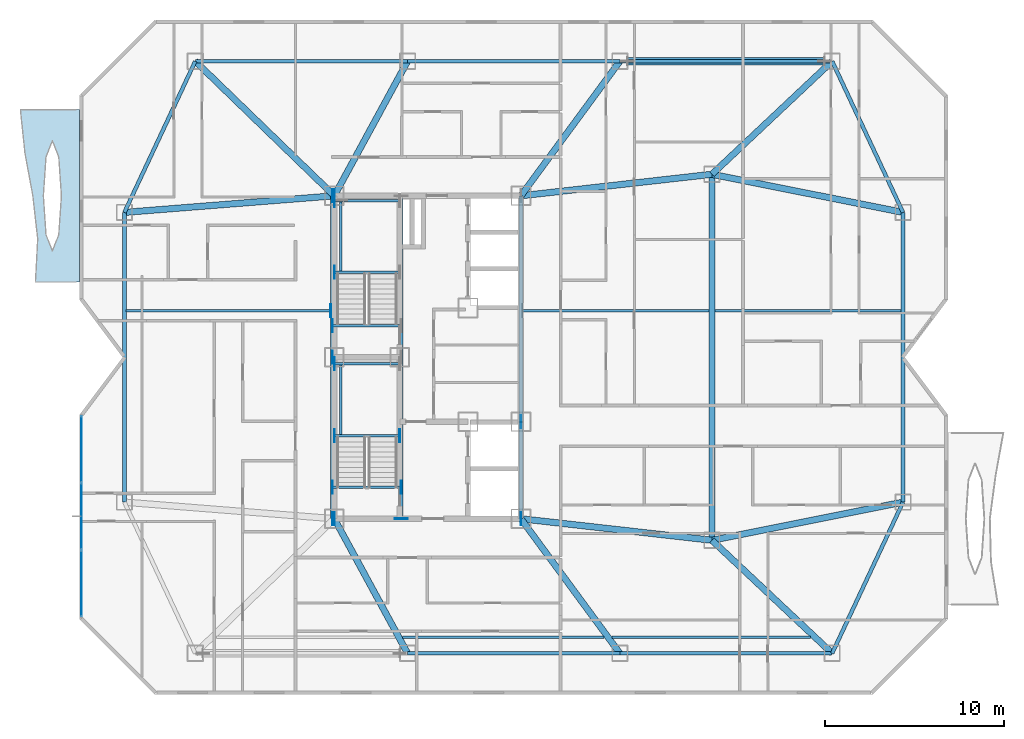
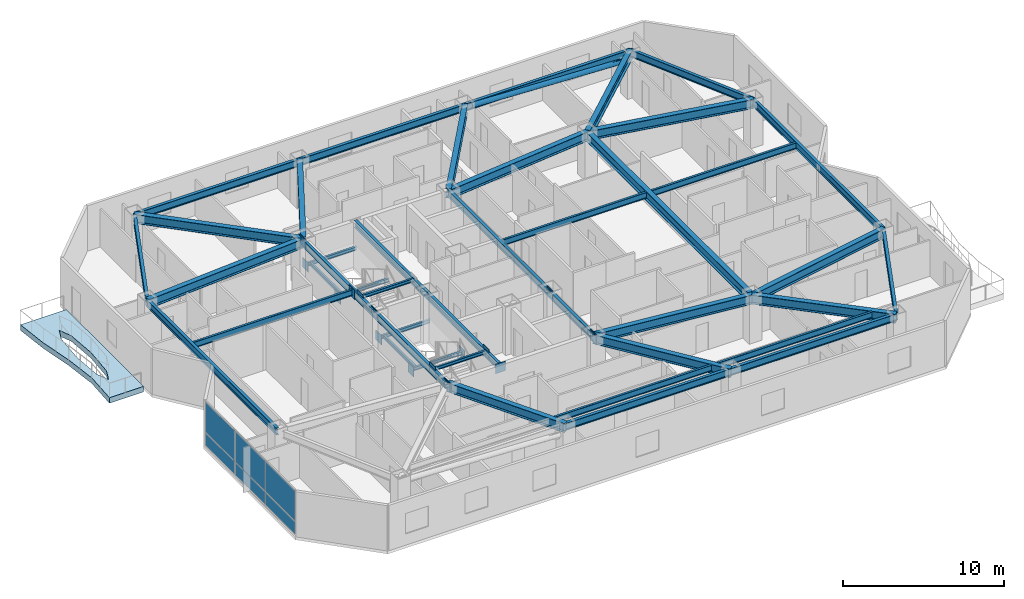
# One storey, part 5 of 17: 42 beams, 24 plates, 1 member, 1 slab, 1 element without a shape of its own.
"""IFC4 building model written with IfcOpenShell, lengths in metres."""

from ifc_helpers import new_model, si_unit, direction, frame, origin, origin_2d, place, context, subcontext, project, spatial, polyline, rectangle, hollow_circle, i_section, outline, extrude, material, layer, layer_set, material_profile, profile_set, type_object, element, aggregate, save


model = new_model("IFC4")

# Units and contexts
model_context = context("Model", 3, precision=1e-05, world=origin(), true_north=direction((0.0, 1.0)))
body_context = subcontext(model_context, "Body", "Model", "MODEL_VIEW")
ifc_project = project(units=[si_unit("LENGTHUNIT", "METRE"), si_unit("AREAUNIT", "SQUARE_METRE"), si_unit("VOLUMEUNIT", "CUBIC_METRE"), si_unit("PLANEANGLEUNIT", "RADIAN"), si_unit("MASSUNIT", "GRAM", prefix="KILO")], contexts=[model_context])

# Site, building, storey
site_placement = place(None, origin())
site = spatial("IfcSite", under=ifc_project, at=site_placement, CompositionType="ELEMENT")
building_placement = place(site_placement, origin())
building = spatial("IfcBuilding", under=site, at=building_placement, Name="Khamvora Tower", CompositionType="ELEMENT")
storey_placement = place(building_placement, frame((0.0, 0.0, 192.39990234375)))
storey = spatial("IfcBuildingStorey", under=building, at=storey_placement, Name="L49", CompositionType="ELEMENT", Elevation=192.39990234375)

# Beams
ifc_material_1 = material(Name="Steel S355", Category="steel")
ifc_material_profile_1 = material_profile(ifc_material_1, i_section(OverallWidth=0.154052734375, OverallDepth=0.458984375, WebThickness=0.009033203125, FlangeThickness=0.014892578125, FilletRadius=0.011962890625, at=origin_2d()), Name="W460x68")
ifc_profile_set_1 = profile_set([ifc_material_profile_1], Name="Steel S355")
beam_type_1 = type_object("IfcBeamType", Name="BM-JS-W460x68", PredefinedType="JOIST", material=ifc_profile_set_1)
beam_1_placement = place(storey_placement, frame((32.7900390625, 12.39990234375, 3.201171875), z_axis=(1.0, 0.0, 0.0), x_axis=(0.0, 1.0, 0.0)))
element("IfcBeam", 1, at=beam_1_placement, inside=storey, type_object=beam_type_1, Name="L49 secondary floor joist 02", PredefinedType="JOIST", context=body_context, shape_type="SweptSolid", body=[
    extrude(i_section(OverallWidth=0.154052734375, OverallDepth=0.458984375, WebThickness=0.009033203125, FlangeThickness=0.014892578125, FilletRadius=0.011962890625, at=origin_2d()), origin(), (0.0, 0.0, 1.0), 11.25),
])
beam_2_placement = place(storey_placement, frame((44.469970703125, 12.39990234375, 3.201171875), z_axis=(1.0, 0.0, 0.0), x_axis=(0.0, 1.0, 0.0)))
element("IfcBeam", 2, at=beam_2_placement, inside=storey, type_object=beam_type_1, Name="L49 secondary floor joist 03", PredefinedType="JOIST", context=body_context, shape_type="SweptSolid", body=[
    extrude(i_section(OverallWidth=0.154052734375, OverallDepth=0.458984375, WebThickness=0.009033203125, FlangeThickness=0.014892578125, FilletRadius=0.011962890625, at=origin_2d()), origin(), (0.0, 0.0, 1.0), 11.069091796875),
])
beam_3_placement = place(storey_placement, frame((17.40087890625, 30.60009765625, 3.201171875), z_axis=(1.0, 0.0, 0.0), x_axis=(0.0, 1.0, 0.0)))
element("IfcBeam", 3, at=beam_3_placement, inside=storey, type_object=beam_type_1, Name="L49 secondary floor joist 04", PredefinedType="JOIST", context=body_context, shape_type="SweptSolid", body=[
    extrude(i_section(OverallWidth=0.154052734375, OverallDepth=0.458984375, WebThickness=0.009033203125, FlangeThickness=0.014892578125, FilletRadius=0.011962890625, at=origin_2d()), origin(), (0.0, 0.0, 1.0), 11.399169921875),
])
beam_4_placement = place(storey_placement, frame((39.4990234375, 30.60009765625, 3.201171875), z_axis=(1.0, 0.0, 0.0), x_axis=(0.0, 1.0, 0.0)))
element("IfcBeam", 4, at=beam_4_placement, inside=storey, type_object=beam_type_1, Name="L49 secondary floor joist 05", PredefinedType="JOIST", context=body_context, shape_type="SweptSolid", body=[
    extrude(i_section(OverallWidth=0.154052734375, OverallDepth=0.458984375, WebThickness=0.009033203125, FlangeThickness=0.014892578125, FilletRadius=0.011962890625, at=origin_2d()), origin(), (0.0, 0.0, 1.0), 10.3779296875),
])
beam_5_placement = place(storey_placement, frame((50.221923828125, 30.60009765625, 3.201171875), z_axis=(1.0, 0.0, 0.0), x_axis=(0.0, 1.0, 0.0)))
element("IfcBeam", 5, at=beam_5_placement, inside=storey, type_object=beam_type_1, Name="L49 secondary floor joist 06", PredefinedType="JOIST", context=body_context, shape_type="SweptSolid", body=[
    extrude(i_section(OverallWidth=0.154052734375, OverallDepth=0.458984375, WebThickness=0.009033203125, FlangeThickness=0.014892578125, FilletRadius=0.011962890625, at=origin_2d()), origin(), (0.0, 0.0, 1.0), 10.377197265625),
])
ifc_material_profile_2 = material_profile(ifc_material_1, i_section(OverallWidth=0.14697265625, OverallDepth=0.261962890625, WebThickness=0.007080078125, FlangeThickness=0.010986328125, FilletRadius=0.008056640625, at=origin_2d()), Name="W250x39")
ifc_profile_set_2 = profile_set([ifc_material_profile_2], Name="Steel S355")
beam_type_2 = type_object("IfcBeamType", Name="BM-LN-W250x39", PredefinedType="LINTEL", material=ifc_profile_set_2)
for number, where, z_axis, x_axis, name in (
    (6, (29.0, 23.635009765625, 1.494140625), (1.0, 0.0, 0.0), (0.0, 1.0, 0.0), "L49 ST-01 half-landing support beam 1.1"),
    (7, (29.0, 27.6298828125, 1.494140625), (1.0, 0.0, 0.0), (0.0, 1.0, 0.0), "L49 ST-01 half-landing support beam 1.2"),
):
    element("IfcBeam", number, at=place(storey_placement, frame(where, z_axis=z_axis, x_axis=x_axis)), inside=storey, type_object=beam_type_2, Name=name, PredefinedType="LINTEL", context=body_context, shape_type="SweptSolid", body=[
        extrude(i_section(OverallWidth=0.14697265625, OverallDepth=0.261962890625, WebThickness=0.007080078125, FlangeThickness=0.010986328125, FilletRadius=0.008056640625, at=origin_2d()), origin(), (0.0, 0.0, 1.0), 3.64990234375),
    ])
beam_6_placement = place(storey_placement, frame((29.35009765625, 23.635009765625, 1.494140625), z_axis=(0.0, 1.0, 0.0), x_axis=(-1.0, 0.0, 0.0)))
element("IfcBeam", 8, at=beam_6_placement, inside=storey, type_object=beam_type_2, Name="L49 ST-01 half-landing edge stringer 1", PredefinedType="LINTEL", context=body_context, shape_type="SweptSolid", body=[
    extrude(i_section(OverallWidth=0.14697265625, OverallDepth=0.261962890625, WebThickness=0.007080078125, FlangeThickness=0.010986328125, FilletRadius=0.008056640625, at=origin_2d()), origin(), (0.0, 0.0, 1.0), 3.994873046875),
])
for number, where, z_axis, x_axis, name in (
    (9, (29.0, 32.735107421875, 1.494140625), (1.0, 0.0, 0.0), (0.0, 1.0, 0.0), "L49 ST-02 half-landing support beam 1.1"),
    (10, (29.0, 36.72998046875, 1.494140625), (1.0, 0.0, 0.0), (0.0, 1.0, 0.0), "L49 ST-02 half-landing support beam 1.2"),
):
    element("IfcBeam", number, at=place(storey_placement, frame(where, z_axis=z_axis, x_axis=x_axis)), inside=storey, type_object=beam_type_2, Name=name, PredefinedType="LINTEL", context=body_context, shape_type="SweptSolid", body=[
        extrude(i_section(OverallWidth=0.14697265625, OverallDepth=0.261962890625, WebThickness=0.007080078125, FlangeThickness=0.010986328125, FilletRadius=0.008056640625, at=origin_2d()), origin(), (0.0, 0.0, 1.0), 3.64990234375),
    ])
beam_7_placement = place(storey_placement, frame((29.35009765625, 32.735107421875, 1.494140625), z_axis=(0.0, 1.0, 0.0), x_axis=(-1.0, 0.0, 0.0)))
element("IfcBeam", 11, at=beam_7_placement, inside=storey, type_object=beam_type_2, Name="L49 ST-02 half-landing edge stringer 1", PredefinedType="LINTEL", context=body_context, shape_type="SweptSolid", body=[
    extrude(i_section(OverallWidth=0.14697265625, OverallDepth=0.261962890625, WebThickness=0.007080078125, FlangeThickness=0.010986328125, FilletRadius=0.008056640625, at=origin_2d()), origin(), (0.0, 0.0, 1.0), 3.994873046875),
])
for number, where, z_axis, x_axis, name in (
    (12, (28.89990234375, 20.75, 3.30419921875), (1.0, 0.0, 0.0), (0.0, 1.0, 0.0), "L49 exit stair ST-01 landing trimmer beam"),
    (13, (28.89990234375, 29.75, 3.30419921875), (1.0, 0.0, 0.0), (0.0, 1.0, 0.0), "L49 exit stair ST-02 landing trimmer beam"),
):
    element("IfcBeam", number, at=place(storey_placement, frame(where, z_axis=z_axis, x_axis=x_axis)), inside=storey, type_object=beam_type_2, Name=name, PredefinedType="LINTEL", context=body_context, shape_type="SweptSolid", body=[
        extrude(i_section(OverallWidth=0.14697265625, OverallDepth=0.261962890625, WebThickness=0.007080078125, FlangeThickness=0.010986328125, FilletRadius=0.008056640625, at=origin_2d()), origin(), (0.0, 0.0, 1.0), 3.830078125),
    ])
ifc_material_profile_3 = material_profile(ifc_material_1, i_section(OverallWidth=0.35498046875, OverallDepth=0.695068359375, WebThickness=0.014892578125, FlangeThickness=0.02490234375, FilletRadius=0.01611328125, at=origin_2d()), Name="W690x217")
ifc_profile_set_3 = profile_set([ifc_material_profile_3], Name="Steel S355")
beam_type_3 = type_object("IfcBeamType", Name="BM-PG-W690x217", PredefinedType="BEAM", material=ifc_profile_set_3)
beam_8_placement = place(storey_placement, frame((50.050048828125, 17.800048828125, 3.0830078125), z_axis=(0.0, 1.0, 0.0), x_axis=(-1.0, 0.0, 0.0)))
element("IfcBeam", 14, at=beam_8_placement, inside=storey, type_object=beam_type_3, Name="L49 longitudinal frame girder M1-M2", PredefinedType="BEAM", context=body_context, shape_type="SweptSolid", body=[
    extrude(i_section(OverallWidth=0.35498046875, OverallDepth=0.695068359375, WebThickness=0.014892578125, FlangeThickness=0.02490234375, FilletRadius=0.01611328125, at=origin_2d()), origin(), (0.0, 0.0, 1.0), 20.39990234375),
])
beam_9_placement = place(storey_placement, frame((29.0, 19.0, 3.0830078125), z_axis=(0.478138862063, -0.878284252725, 0.0), x_axis=(0.878284252725, 0.478138862063, 0.0)))
element("IfcBeam", 15, at=beam_9_placement, inside=storey, type_object=beam_type_3, Name="L49 primary floor girder S2", PredefinedType="BEAM", context=body_context, shape_type="SweptSolid", body=[
    extrude(i_section(OverallWidth=0.35498046875, OverallDepth=0.695068359375, WebThickness=0.014892578125, FlangeThickness=0.02490234375, FilletRadius=0.01611328125, at=origin_2d()), origin(), (0.0, 0.0, 1.0), 8.539306640625),
])
beam_10_placement = place(storey_placement, frame((39.39990234375, 19.0, 3.0830078125), z_axis=(0.592556630955, -0.805528794713, 0.0), x_axis=(0.805528794713, 0.592556630955, 0.0)))
element("IfcBeam", 16, at=beam_10_placement, inside=storey, type_object=beam_type_3, Name="L49 primary floor girder S3", PredefinedType="BEAM", context=body_context, shape_type="SweptSolid", body=[
    extrude(i_section(OverallWidth=0.35498046875, OverallDepth=0.695068359375, WebThickness=0.014892578125, FlangeThickness=0.02490234375, FilletRadius=0.01611328125, at=origin_2d()), origin(), (0.0, 0.0, 1.0), 9.310546875),
])
beam_11_placement = place(storey_placement, frame((50.050048828125, 17.800048828125, 3.0830078125), z_axis=(0.728513992294, -0.685030921224, 0.0), x_axis=(0.685030921224, 0.728513992294, 0.0)))
element("IfcBeam", 17, at=beam_11_placement, inside=storey, type_object=beam_type_3, Name="L49 primary floor girder S4", PredefinedType="BEAM", context=body_context, shape_type="SweptSolid", body=[
    extrude(i_section(OverallWidth=0.35498046875, OverallDepth=0.695068359375, WebThickness=0.014892578125, FlangeThickness=0.02490234375, FilletRadius=0.01611328125, at=origin_2d()), origin(), (0.0, 0.0, 1.0), 9.19677734375),
])
beam_12_placement = place(storey_placement, frame((29.0, 37.0, 3.0830078125), z_axis=(-0.718602141767, 0.695421427516, 0.0), x_axis=(-0.695421427516, -0.718602141767, 0.0)))
element("IfcBeam", 18, at=beam_12_placement, inside=storey, type_object=beam_type_3, Name="L49 primary floor girder N1", PredefinedType="BEAM", context=body_context, shape_type="SweptSolid", body=[
    extrude(i_section(OverallWidth=0.35498046875, OverallDepth=0.695068359375, WebThickness=0.014892578125, FlangeThickness=0.02490234375, FilletRadius=0.01611328125, at=origin_2d()), origin(), (0.0, 0.0, 1.0), 10.784912109375),
])
beam_13_placement = place(storey_placement, frame((29.0, 37.0, 3.0830078125), z_axis=(0.478138862063, 0.878284252725, 0.0), x_axis=(-0.878284252725, 0.478138862063, 0.0)))
element("IfcBeam", 19, at=beam_13_placement, inside=storey, type_object=beam_type_3, Name="L49 primary floor girder N2", PredefinedType="BEAM", context=body_context, shape_type="SweptSolid", body=[
    extrude(i_section(OverallWidth=0.35498046875, OverallDepth=0.695068359375, WebThickness=0.014892578125, FlangeThickness=0.02490234375, FilletRadius=0.01611328125, at=origin_2d()), origin(), (0.0, 0.0, 1.0), 8.539306640625),
])
beam_14_placement = place(storey_placement, frame((39.39990234375, 37.0, 3.0830078125), z_axis=(0.592556630955, 0.805528794713, 0.0), x_axis=(-0.805528794713, 0.592556630955, 0.0)))
element("IfcBeam", 20, at=beam_14_placement, inside=storey, type_object=beam_type_3, Name="L49 primary floor girder N3", PredefinedType="BEAM", context=body_context, shape_type="SweptSolid", body=[
    extrude(i_section(OverallWidth=0.35498046875, OverallDepth=0.695068359375, WebThickness=0.014892578125, FlangeThickness=0.02490234375, FilletRadius=0.01611328125, at=origin_2d()), origin(), (0.0, 0.0, 1.0), 9.310546875),
])
beam_15_placement = place(storey_placement, frame((50.050048828125, 38.199951171875, 3.0830078125), z_axis=(0.728513992294, 0.685030921224, 0.0), x_axis=(-0.685030921224, 0.728513992294, 0.0)))
element("IfcBeam", 21, at=beam_15_placement, inside=storey, type_object=beam_type_3, Name="L49 primary floor girder N4", PredefinedType="BEAM", context=body_context, shape_type="SweptSolid", body=[
    extrude(i_section(OverallWidth=0.35498046875, OverallDepth=0.695068359375, WebThickness=0.014892578125, FlangeThickness=0.02490234375, FilletRadius=0.01611328125, at=origin_2d()), origin(), (0.0, 0.0, 1.0), 9.19677734375),
])
beam_16_placement = place(storey_placement, frame((29.0, 37.0, 3.0830078125), z_axis=(-0.996888993668, -0.078818362728, 0.0), x_axis=(0.078818362728, -0.996888993668, 0.0)))
element("IfcBeam", 22, at=beam_16_placement, inside=storey, type_object=beam_type_3, Name="L49 primary floor girder W2", PredefinedType="BEAM", context=body_context, shape_type="SweptSolid", body=[
    extrude(i_section(OverallWidth=0.35498046875, OverallDepth=0.695068359375, WebThickness=0.014892578125, FlangeThickness=0.02490234375, FilletRadius=0.01611328125, at=origin_2d()), origin(), (0.0, 0.0, 1.0), 11.736572265625),
])
for number, where, z_axis, x_axis, name in (
    (23, (50.050048828125, 17.800048828125, 3.0830078125), (0.980668771461, 0.195675140681, 0.0), (-0.195675140681, 0.980668771461, 0.0), "L49 primary floor girder E1"),
    (24, (50.050048828125, 38.199951171875, 3.0830078125), (0.980668771461, -0.195675140681, 0.0), (0.195675140681, 0.980668771461, 0.0), "L49 primary floor girder E2"),
):
    element("IfcBeam", number, at=place(storey_placement, frame(where, z_axis=z_axis, x_axis=x_axis)), inside=storey, type_object=beam_type_3, Name=name, PredefinedType="BEAM", context=body_context, shape_type="SweptSolid", body=[
        extrude(i_section(OverallWidth=0.35498046875, OverallDepth=0.695068359375, WebThickness=0.014892578125, FlangeThickness=0.02490234375, FilletRadius=0.01611328125, at=origin_2d()), origin(), (0.0, 0.0, 1.0), 10.85986328125),
    ])
for number, where, z_axis, x_axis, name in (
    (25, (39.39990234375, 19.0, 3.0830078125), (0.993712543569, -0.111961514606, 0.0), (0.111961514606, 0.993712543569, 0.0), "L49 primary floor girder M1"),
    (26, (39.39990234375, 37.0, 3.0830078125), (0.993712543569, 0.111961514606, 0.0), (-0.111961514606, 0.993712543569, 0.0), "L49 primary floor girder M2"),
):
    element("IfcBeam", number, at=place(storey_placement, frame(where, z_axis=z_axis, x_axis=x_axis)), inside=storey, type_object=beam_type_3, Name=name, PredefinedType="BEAM", context=body_context, shape_type="SweptSolid", body=[
        extrude(i_section(OverallWidth=0.35498046875, OverallDepth=0.695068359375, WebThickness=0.014892578125, FlangeThickness=0.02490234375, FilletRadius=0.01611328125, at=origin_2d()), origin(), (0.0, 0.0, 1.0), 10.717529296875),
    ])
ifc_material_profile_4 = material_profile(ifc_material_1, i_section(OverallWidth=0.2119140625, OverallDepth=0.5439453125, WebThickness=0.012939453125, FlangeThickness=0.02099609375, FilletRadius=0.013916015625, at=origin_2d()), Name="W530x123")
ifc_profile_set_4 = profile_set([ifc_material_profile_4], Name="Steel S355")
beam_type_4 = type_object("IfcBeamType", Name="BM-SP-W530x123", PredefinedType="SPANDREL", material=ifc_profile_set_4)
beam_17_placement = place(storey_placement, frame((33.0830078125, 11.5, 3.158203125), z_axis=(1.0, 0.0, 0.0), x_axis=(0.0, 1.0, 0.0)))
element("IfcBeam", 27, at=beam_17_placement, inside=storey, type_object=beam_type_4, Name="L49 perimeter spandrel beam S2-S3", PredefinedType="SPANDREL", context=body_context, shape_type="SweptSolid", body=[
    extrude(i_section(OverallWidth=0.2119140625, OverallDepth=0.5439453125, WebThickness=0.012939453125, FlangeThickness=0.02099609375, FilletRadius=0.013916015625, at=origin_2d()), origin(), (0.0, 0.0, 1.0), 11.833984375),
])
beam_18_placement = place(storey_placement, frame((44.9169921875, 11.5, 3.158203125), z_axis=(1.0, 0.0, 0.0), x_axis=(0.0, 1.0, 0.0)))
element("IfcBeam", 28, at=beam_18_placement, inside=storey, type_object=beam_type_4, Name="L49 perimeter spandrel beam S3-S4", PredefinedType="SPANDREL", context=body_context, shape_type="SweptSolid", body=[
    extrude(i_section(OverallWidth=0.2119140625, OverallDepth=0.5439453125, WebThickness=0.012939453125, FlangeThickness=0.02099609375, FilletRadius=0.013916015625, at=origin_2d()), origin(), (0.0, 0.0, 1.0), 11.8330078125),
])
beam_19_placement = place(storey_placement, frame((56.75, 11.5, 3.158203125), z_axis=(0.424496391454, 0.905429629315, 0.0), x_axis=(-0.905429629315, 0.424496391454, 0.0)))
element("IfcBeam", 29, at=beam_19_placement, inside=storey, type_object=beam_type_4, Name="L49 perimeter spandrel beam S4-E1", PredefinedType="SPANDREL", context=body_context, shape_type="SweptSolid", body=[
    extrude(i_section(OverallWidth=0.2119140625, OverallDepth=0.5439453125, WebThickness=0.012939453125, FlangeThickness=0.02099609375, FilletRadius=0.013916015625, at=origin_2d()), origin(), (0.0, 0.0, 1.0), 9.304931640625),
])
beam_20_placement = place(storey_placement, frame((60.699951171875, 19.925048828125, 3.158203125), z_axis=(0.0, 1.0, 0.0), x_axis=(-1.0, 0.0, 0.0)))
element("IfcBeam", 30, at=beam_20_placement, inside=storey, type_object=beam_type_4, Name="L49 perimeter spandrel beam E1-E2", PredefinedType="SPANDREL", context=body_context, shape_type="SweptSolid", body=[
    extrude(i_section(OverallWidth=0.2119140625, OverallDepth=0.5439453125, WebThickness=0.012939453125, FlangeThickness=0.02099609375, FilletRadius=0.013916015625, at=origin_2d()), origin(), (0.0, 0.0, 1.0), 16.14990234375),
])
beam_21_placement = place(storey_placement, frame((60.699951171875, 36.074951171875, 3.158203125), z_axis=(-0.424496391454, 0.905429629315, 0.0), x_axis=(-0.905429629315, -0.424496391454, 0.0)))
element("IfcBeam", 31, at=beam_21_placement, inside=storey, type_object=beam_type_4, Name="L49 perimeter spandrel beam E2-N4", PredefinedType="SPANDREL", context=body_context, shape_type="SweptSolid", body=[
    extrude(i_section(OverallWidth=0.2119140625, OverallDepth=0.5439453125, WebThickness=0.012939453125, FlangeThickness=0.02099609375, FilletRadius=0.013916015625, at=origin_2d()), origin(), (0.0, 0.0, 1.0), 9.304931640625),
])
beam_22_placement = place(storey_placement, frame((56.75, 44.5, 3.158203125), z_axis=(-1.0, 0.0, 0.0), x_axis=(0.0, -1.0, 0.0)))
element("IfcBeam", 32, at=beam_22_placement, inside=storey, type_object=beam_type_4, Name="L49 perimeter spandrel beam N4-N3", PredefinedType="SPANDREL", context=body_context, shape_type="SweptSolid", body=[
    extrude(i_section(OverallWidth=0.2119140625, OverallDepth=0.5439453125, WebThickness=0.012939453125, FlangeThickness=0.02099609375, FilletRadius=0.013916015625, at=origin_2d()), origin(), (0.0, 0.0, 1.0), 11.8330078125),
])
beam_23_placement = place(storey_placement, frame((44.9169921875, 44.5, 3.158203125), z_axis=(-1.0, 0.0, 0.0), x_axis=(0.0, -1.0, 0.0)))
element("IfcBeam", 33, at=beam_23_placement, inside=storey, type_object=beam_type_4, Name="L49 perimeter spandrel beam N3-N2", PredefinedType="SPANDREL", context=body_context, shape_type="SweptSolid", body=[
    extrude(i_section(OverallWidth=0.2119140625, OverallDepth=0.5439453125, WebThickness=0.012939453125, FlangeThickness=0.02099609375, FilletRadius=0.013916015625, at=origin_2d()), origin(), (0.0, 0.0, 1.0), 11.833984375),
])
beam_24_placement = place(storey_placement, frame((33.0830078125, 44.5, 3.158203125), z_axis=(-1.0, 0.0, 0.0), x_axis=(0.0, -1.0, 0.0)))
element("IfcBeam", 34, at=beam_24_placement, inside=storey, type_object=beam_type_4, Name="L49 perimeter spandrel beam N2-N1", PredefinedType="SPANDREL", context=body_context, shape_type="SweptSolid", body=[
    extrude(i_section(OverallWidth=0.2119140625, OverallDepth=0.5439453125, WebThickness=0.012939453125, FlangeThickness=0.02099609375, FilletRadius=0.013916015625, at=origin_2d()), origin(), (0.0, 0.0, 1.0), 11.8330078125),
])
beam_25_placement = place(storey_placement, frame((21.25, 44.5, 3.158203125), z_axis=(-0.424496391454, -0.905429629315, 0.0), x_axis=(0.905429629315, -0.424496391454, 0.0)))
element("IfcBeam", 35, at=beam_25_placement, inside=storey, type_object=beam_type_4, Name="L49 perimeter spandrel beam N1-W2", PredefinedType="SPANDREL", context=body_context, shape_type="SweptSolid", body=[
    extrude(i_section(OverallWidth=0.2119140625, OverallDepth=0.5439453125, WebThickness=0.012939453125, FlangeThickness=0.02099609375, FilletRadius=0.013916015625, at=origin_2d()), origin(), (0.0, 0.0, 1.0), 9.304931640625),
])
beam_26_placement = place(storey_placement, frame((17.300048828125, 36.074951171875, 3.158203125), z_axis=(0.0, -1.0, 0.0), x_axis=(1.0, 0.0, 0.0)))
element("IfcBeam", 36, at=beam_26_placement, inside=storey, type_object=beam_type_4, Name="L49 perimeter spandrel beam W2-W1", PredefinedType="SPANDREL", context=body_context, shape_type="SweptSolid", body=[
    extrude(i_section(OverallWidth=0.2119140625, OverallDepth=0.5439453125, WebThickness=0.012939453125, FlangeThickness=0.02099609375, FilletRadius=0.013916015625, at=origin_2d()), origin(), (0.0, 0.0, 1.0), 16.14990234375),
])
ifc_material_profile_5 = material_profile(ifc_material_1, i_section(OverallWidth=0.208984375, OverallDepth=0.532958984375, WebThickness=0.010009765625, FlangeThickness=0.01611328125, FilletRadius=0.013916015625, at=origin_2d()), Name="W530x92")
ifc_profile_set_5 = profile_set([ifc_material_profile_5], Name="Steel S355")
beam_type_5 = type_object("IfcBeamType", Name="BM-SP-W530x92", PredefinedType="SPANDREL", material=ifc_profile_set_5)
for number, where, z_axis, x_axis, name in (
    (37, (28.89990234375, 19.0, 3.1640625), (0.0, 1.0, 0.0), (-1.0, 0.0, 0.0), "L49 core spine girder WS"),
    (38, (28.89990234375, 28.0, 3.1640625), (0.0, 1.0, 0.0), (-1.0, 0.0, 0.0), "L49 core spine girder WN"),
    (39, (32.72998046875, 19.0, 3.1640625), (0.0, 1.0, 0.0), (-1.0, 0.0, 0.0), "L49 core spine girder M1S"),
    (40, (32.72998046875, 28.0, 3.1640625), (0.0, 1.0, 0.0), (-1.0, 0.0, 0.0), "L49 core spine girder M1N"),
):
    element("IfcBeam", number, at=place(storey_placement, frame(where, z_axis=z_axis, x_axis=x_axis)), inside=storey, type_object=beam_type_5, Name=name, PredefinedType="SPANDREL", context=body_context, shape_type="SweptSolid", body=[
        extrude(i_section(OverallWidth=0.208984375, OverallDepth=0.532958984375, WebThickness=0.010009765625, FlangeThickness=0.01611328125, FilletRadius=0.013916015625, at=origin_2d()), origin(), (0.0, 0.0, 1.0), 9.0),
    ])
beam_27_placement = place(storey_placement, frame((39.39990234375, 19.0, 3.1640625), z_axis=(0.0, 1.0, 0.0), x_axis=(-1.0, 0.0, 0.0)))
element("IfcBeam", 41, at=beam_27_placement, inside=storey, type_object=beam_type_5, Name="L49 core spine girder ES", PredefinedType="SPANDREL", context=body_context, shape_type="SweptSolid", body=[
    extrude(i_section(OverallWidth=0.208984375, OverallDepth=0.532958984375, WebThickness=0.010009765625, FlangeThickness=0.01611328125, FilletRadius=0.013916015625, at=origin_2d()), origin(), (0.0, 0.0, 1.0), 5.39990234375),
])
beam_28_placement = place(storey_placement, frame((39.39990234375, 24.39990234375, 3.1640625), z_axis=(0.0, 1.0, 0.0), x_axis=(-1.0, 0.0, 0.0)))
element("IfcBeam", 42, at=beam_28_placement, inside=storey, type_object=beam_type_5, Name="L49 core spine girder EN", PredefinedType="SPANDREL", context=body_context, shape_type="SweptSolid", body=[
    extrude(i_section(OverallWidth=0.208984375, OverallDepth=0.532958984375, WebThickness=0.010009765625, FlangeThickness=0.01611328125, FilletRadius=0.013916015625, at=origin_2d()), origin(), (0.0, 0.0, 1.0), 12.60009765625),
])

# Member
ifc_material_profile_6 = material_profile(ifc_material_1, hollow_circle(Radius=0.202880859375, WallThickness=0.01611328125, at=origin_2d()), Name="CHS406x16")
ifc_profile_set_6 = profile_set([ifc_material_profile_6], Name="Steel S355")
member_type = type_object("IfcMemberType", Name="MEM-BR-CHS406", PredefinedType="BRACE", material=ifc_profile_set_6)
member_placement = place(storey_placement, frame((56.320068359375, 44.5, 2.697998046875), z_axis=(-0.999174860809, 0.0, 0.040615237634), x_axis=(0.0, -1.0, 0.0)))
element("IfcMember", 43, at=member_placement, inside=storey, type_object=member_type, Name="L49 perimeter wind brace 2", PredefinedType="BRACE", context=body_context, shape_type="SweptSolid", body=[
    extrude(hollow_circle(Radius=0.202880859375, WallThickness=0.01611328125, at=origin_2d()), origin(), (0.0, 0.0, 1.0), 10.982177734375),
])

# Curtain wall, plates
ifc_material_2 = material(Name="Anodised Aluminium 6063-T6", Category="aluminium")
curtain_wall_type = type_object("IfcCurtainWallType", Name="CW-SYS-04", PredefinedType="NOTDEFINED", material=ifc_material_2)
curtain_wall_placement = place(storey_placement, origin())
curtain_wall = element("IfcCurtainWall", 44, at=curtain_wall_placement, inside=storey, type_object=curtain_wall_type, Name="L49 stick curtain wall 02.1", PredefinedType="NOTDEFINED")
ifc_material_3 = material(Name="Low-E Laminated Double Glazing", Category="glass")
ifc_layer_1 = layer(ifc_material_3, 0.028076171875)
ifc_layer_set_1 = layer_set([ifc_layer_1], Name="Low-E Laminated Double Glazing")
plate_type_1 = type_object("IfcPlateType", Name="CW-SYS-04-PNL", PredefinedType="CURTAIN_PANEL", material=ifc_layer_set_1)
plate_1_placement = place(storey_placement, frame((14.89990234375, 15.3974609375, 0.06494140625), z_axis=(0.0, 0.0, 1.0), x_axis=(0.0, 1.0, 0.0)))
plate_1 = element("IfcPlate", 45, at=plate_1_placement, type_object=plate_type_1, Name="CW-04 panel 1.1", PredefinedType="CURTAIN_PANEL", context=body_context, shape_type="SweptSolid", body=[
    extrude(rectangle(XDim=3.65673828125, YDim=0.028076171875, at=origin_2d()), origin(), (0.0, 0.0, 1.0), 0.952392578125),
])
plate_2_placement = place(storey_placement, frame((14.89990234375, 15.3974609375, 1.08251953125), z_axis=(0.0, 0.0, 1.0), x_axis=(0.0, 1.0, 0.0)))
plate_2 = element("IfcPlate", 46, at=plate_2_placement, type_object=plate_type_1, Name="CW-04 panel 1.2", PredefinedType="CURTAIN_PANEL", context=body_context, shape_type="SweptSolid", body=[
    extrude(rectangle(XDim=3.65673828125, YDim=0.028076171875, at=origin_2d()), origin(), (0.0, 0.0, 1.0), 2.282470703125),
])
plate_3_placement = place(storey_placement, frame((14.89990234375, 19.135498046875, 0.06494140625), z_axis=(0.0, 0.0, 1.0), x_axis=(0.0, 1.0, 0.0)))
plate_3 = element("IfcPlate", 47, at=plate_3_placement, type_object=plate_type_1, Name="CW-04 panel 2.1", PredefinedType="CURTAIN_PANEL", context=body_context, shape_type="SweptSolid", body=[
    extrude(rectangle(XDim=3.689453125, YDim=0.028076171875, at=origin_2d()), origin(), (0.0, 0.0, 1.0), 0.952392578125),
])
plate_4_placement = place(storey_placement, frame((14.89990234375, 19.135498046875, 1.08251953125), z_axis=(0.0, 0.0, 1.0), x_axis=(0.0, 1.0, 0.0)))
plate_4 = element("IfcPlate", 48, at=plate_4_placement, type_object=plate_type_1, Name="CW-04 panel 2.2", PredefinedType="CURTAIN_PANEL", context=body_context, shape_type="SweptSolid", body=[
    extrude(rectangle(XDim=3.689453125, YDim=0.028076171875, at=origin_2d()), origin(), (0.0, 0.0, 1.0), 2.282470703125),
])
plate_5_placement = place(storey_placement, frame((14.89990234375, 22.87353515625, 0.06494140625), z_axis=(0.0, 0.0, 1.0), x_axis=(0.0, 1.0, 0.0)))
plate_5 = element("IfcPlate", 49, at=plate_5_placement, type_object=plate_type_1, Name="CW-04 panel 3.1", PredefinedType="CURTAIN_PANEL", context=body_context, shape_type="SweptSolid", body=[
    extrude(rectangle(XDim=3.65673828125, YDim=0.028076171875, at=origin_2d()), origin(), (0.0, 0.0, 1.0), 0.952392578125),
])
plate_6_placement = place(storey_placement, frame((14.89990234375, 22.87353515625, 1.08251953125), z_axis=(0.0, 0.0, 1.0), x_axis=(0.0, 1.0, 0.0)))
plate_6 = element("IfcPlate", 50, at=plate_6_placement, type_object=plate_type_1, Name="CW-04 panel 3.2", PredefinedType="CURTAIN_PANEL", context=body_context, shape_type="SweptSolid", body=[
    extrude(rectangle(XDim=3.65673828125, YDim=0.028076171875, at=origin_2d()), origin(), (0.0, 0.0, 1.0), 2.282470703125),
])
aggregate(curtain_wall, [plate_1, plate_2, plate_3, plate_4, plate_5, plate_6])

# Plates
ifc_material_4 = material(Name="Steel S460", Category="steel")
ifc_layer_2 = layer(ifc_material_4, 0.034912109375)
ifc_layer_set_2 = layer_set([ifc_layer_2], Name="Steel S460")
plate_type_2 = type_object("IfcPlateType", Name="PL-EMB-35", PredefinedType="SHEET", material=ifc_layer_set_2)
for number, where, z_axis, x_axis, name in (
    (51, (29.0, 23.635009765625, 1.13427734375), (0.0, 0.0, 1.0), (1.0, 0.0, 0.0), "L49 core shear wall cast-in embed plate 1422"),
    (52, (32.64990234375, 23.635009765625, 1.13427734375), (0.0, 0.0, 1.0), (1.0, 0.0, 0.0), "L49 core shear wall cast-in embed plate 1423"),
    (53, (29.0, 27.6298828125, 1.13427734375), (0.0, 0.0, 1.0), (1.0, 0.0, 0.0), "L49 core shear wall cast-in embed plate 1424"),
    (54, (29.0, 32.735107421875, 1.13427734375), (0.0, 0.0, 1.0), (1.0, 0.0, 0.0), "L49 core shear wall cast-in embed plate 1426"),
    (55, (29.0, 36.72998046875, 1.13427734375), (0.0, 0.0, 1.0), (1.0, 0.0, 0.0), "L49 core shear wall cast-in embed plate 1428"),
    (56, (29.0, 19.0, 2.72314453125), (0.0, 0.0, 1.0), (1.0, 0.0, 0.0), "L49 core shear wall cast-in embed plate 1431"),
    (57, (39.39990234375, 19.0, 2.72314453125), (0.0, 0.0, 1.0), (1.0, 0.0, 0.0), "L49 core shear wall cast-in embed plate 1432"),
    (58, (29.0, 37.0, 2.72314453125), (0.0, 0.0, 1.0), (1.0, 0.0, 0.0), "L49 core shear wall cast-in embed plate 1433"),
    (59, (28.89990234375, 19.0, 2.80419921875), (0.0, 0.0, 1.0), (1.0, 0.0, 0.0), "L49 core shear wall cast-in embed plate 1435"),
    (60, (28.89990234375, 28.0, 2.80419921875), (0.0, 0.0, 1.0), (1.0, 0.0, 0.0), "L49 core shear wall cast-in embed plate 1436"),
    (61, (28.89990234375, 37.0, 2.80419921875), (0.0, 0.0, 1.0), (1.0, 0.0, 0.0), "L49 core shear wall cast-in embed plate 1437"),
):
    element("IfcPlate", number, at=place(storey_placement, frame(where, z_axis=z_axis, x_axis=x_axis)), inside=storey, type_object=plate_type_2, Name=name, PredefinedType="SHEET", context=body_context, shape_type="SweptSolid", body=[
        extrude(rectangle(XDim=0.034912109375, YDim=0.719970703125, at=origin_2d()), origin(), (0.0, 0.0, 1.0), 0.719970703125),
    ])
plate_7_placement = place(storey_placement, frame((32.72998046875, 19.0, 2.80419921875), z_axis=(0.0, 0.0, 1.0), x_axis=(1.0, 0.0, 0.0)))
element("IfcPlate", 62, at=plate_7_placement, inside=storey, type_object=plate_type_2, Name="L49 core shear wall cast-in embed plate 1438", PredefinedType="SHEET", context=body_context, shape_type="SweptSolid", body=[
    extrude(rectangle(XDim=0.719970703125, YDim=0.034912109375, at=origin_2d()), origin(), (0.0, 0.0, 1.0), 0.719970703125),
])
for number, where, z_axis, x_axis, name in (
    (63, (39.39990234375, 19.0, 2.80419921875), (0.0, 0.0, 1.0), (1.0, 0.0, 0.0), "L49 core shear wall cast-in embed plate 1441"),
    (64, (39.39990234375, 24.39990234375, 2.80419921875), (0.0, 0.0, 1.0), (1.0, 0.0, 0.0), "L49 core shear wall cast-in embed plate 1442"),
    (65, (28.89990234375, 20.75, 2.9443359375), (0.0, 0.0, 1.0), (1.0, 0.0, 0.0), "L49 core shear wall cast-in embed plate 1444"),
    (66, (32.72998046875, 20.75, 2.9443359375), (0.0, 0.0, 1.0), (1.0, 0.0, 0.0), "L49 core shear wall cast-in embed plate 1445"),
    (67, (28.89990234375, 29.75, 2.9443359375), (0.0, 0.0, 1.0), (1.0, 0.0, 0.0), "L49 core shear wall cast-in embed plate 1446"),
    (68, (28.800048828125, 30.60009765625, 2.84130859375), (0.0, 0.0, 1.0), (1.0, 0.0, 0.0), "L49 core shear wall cast-in embed plate 1448"),
):
    element("IfcPlate", number, at=place(storey_placement, frame(where, z_axis=z_axis, x_axis=x_axis)), inside=storey, type_object=plate_type_2, Name=name, PredefinedType="SHEET", context=body_context, shape_type="SweptSolid", body=[
        extrude(rectangle(XDim=0.034912109375, YDim=0.719970703125, at=origin_2d()), origin(), (0.0, 0.0, 1.0), 0.719970703125),
    ])

# Slab
ifc_material_5 = material(Name="Concrete C40/50", Category="concrete")
ifc_layer_3 = layer(ifc_material_5, 0.419921875)
ifc_layer_set_3 = layer_set([ifc_layer_3], Name="Concrete C40/50")
slab_type = type_object("IfcSlabType", Name="SLB-GRD-420", PredefinedType="FLOOR", material=ifc_layer_set_3)
slab_placement = place(storey_placement, frame((0.0, 0.0, -0.419921875)))
element("IfcSlab", 69, at=slab_placement, inside=storey, type_object=slab_type, Name="L49 external lens gallery slab WL2", PredefinedType="FLOOR", context=body_context, shape_type="SweptSolid", body=[
    extrude(outline(polyline([(14.800048828125, 32.199951171875), (14.800048828125, 41.800048828125), (11.50390625, 41.800048828125), (11.75390625, 39.39990234375), (12.196044921875, 37.0), (12.467041015625, 34.60009765625), (12.342041015625, 32.199951171875), (14.800048828125, 32.199951171875)]), holes=[polyline([(13.7890625, 37.0), (13.64111328125, 39.172119140625), (13.284912109375, 40.072021484375), (12.928955078125, 39.172119140625), (12.781005859375, 37.0), (12.928955078125, 34.827880859375), (13.284912109375, 33.927978515625), (13.64111328125, 34.827880859375), (13.7890625, 37.0)])]), origin(), (0.0, 0.0, 1.0), 0.419921875),
])

save(model, "model.ifc")
